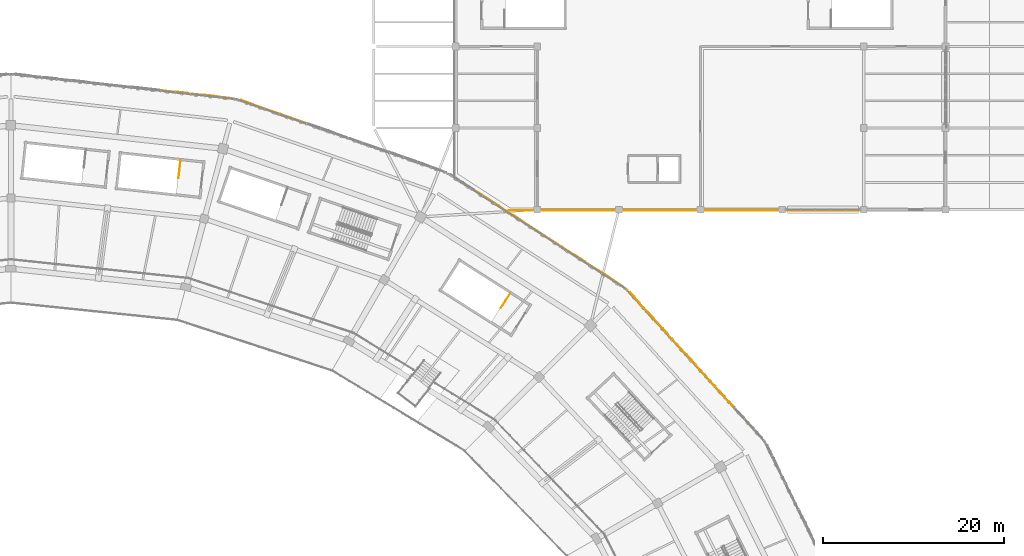
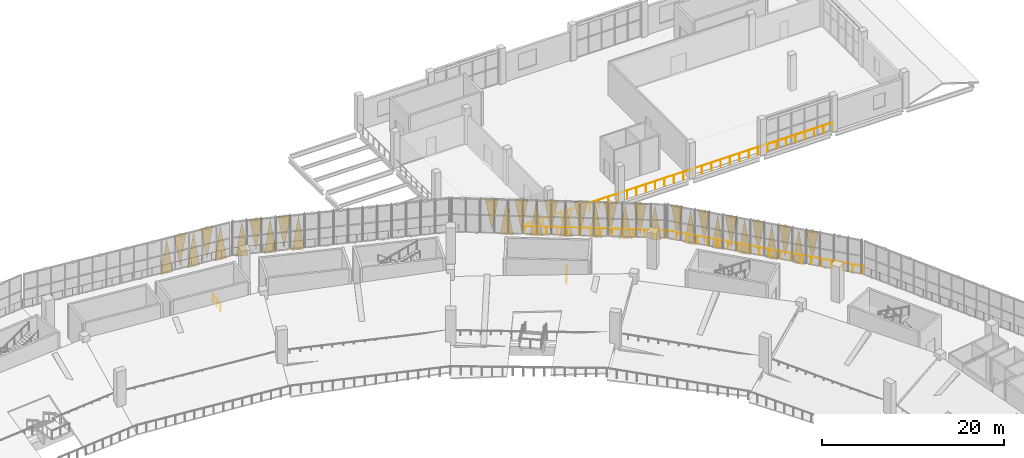
# One storey, part 149 of 152: 33 coverings, 5 railings.
"""IFC4 building model written with IfcOpenShell, lengths in metres."""

from ifc_helpers import new_model, si_unit, direction, frame, origin, origin_2d, place, context, subcontext, project, spatial, polyline, circle, outline, extrude, material, layer, layer_set, type_object, element, save


model = new_model("IFC4")

# Units and contexts
model_context = context("Model", 3, precision=1e-05, world=origin(), true_north=direction((0.0, 1.0)))
body_context = subcontext(model_context, "Body", "Model", "MODEL_VIEW")
ifc_project = project(units=[si_unit("LENGTHUNIT", "METRE"), si_unit("AREAUNIT", "SQUARE_METRE"), si_unit("VOLUMEUNIT", "CUBIC_METRE"), si_unit("PLANEANGLEUNIT", "RADIAN"), si_unit("MASSUNIT", "GRAM", prefix="KILO")], contexts=[model_context])

# Site, building, storey
site_placement = place(None, origin())
site = spatial("IfcSite", under=ifc_project, at=site_placement, CompositionType="ELEMENT")
building_placement = place(site_placement, origin())
building = spatial("IfcBuilding", under=site, at=building_placement, Name="Zevraka Park Crest Stadium", CompositionType="ELEMENT")
storey_placement = place(building_placement, frame((0.0, 0.0, 15.0)))
storey = spatial("IfcBuildingStorey", under=building, at=storey_placement, Name="L03", CompositionType="ELEMENT", Elevation=15.0)

# Coverings
ifc_material_1 = material(Name="Architectural golden-bronze perforated aluminium", Category="aluminium")
ifc_layer = layer(ifc_material_1, 0.034912109375)
ifc_layer_set = layer_set([ifc_layer], Name="Architectural golden-bronze perforated aluminium")
covering_type = type_object("IfcCoveringType", Name="CLD01", PredefinedType="CLADDING", material=ifc_layer_set)
covering_1_placement = place(storey_placement, frame((190.702880859375, 137.376953125, 4.52001953125), z_axis=(0.73988468063, 0.672733719306, 4.7726743e-05), x_axis=(0.672733720072, -0.739884681473, 0.0)))
element("IfcCovering", 1, at=covering_1_placement, inside=storey, type_object=covering_type, Name="Triangular Golden-Bronze Perforated Cladding L03-02-4", PredefinedType="CLADDING", context=body_context, shape_type="SweptSolid", body=[
    extrude(outline(polyline([(0.0, 0.0), (1.3961080831123893, -6.776263578034403e-21), (0.6987355994962312, 4.300048833022416), (0.0, 0.0)])), origin(), (0.0, 0.0, -1.0), 0.034912109375),
])
covering_2_placement = place(storey_placement, frame((190.595947265625, 137.4951171875, -0.260009765625), z_axis=(0.739654962675, 0.672986275479, 9.5952392e-05), x_axis=(-0.672986278577, 0.73965496608, 0.0)))
element("IfcCovering", 2, at=covering_2_placement, inside=storey, type_object=covering_type, Name="Triangular Golden-Bronze Perforated Cladding L03-02-5", PredefinedType="CLADDING", context=body_context, shape_type="SweptSolid", body=[
    extrude(outline(polyline([(0.0, 0.0), (1.3952213791572479, 1.3552527156068805e-20), (0.6978490062471088, 4.62011720876839), (0.0, 0.0)])), origin(), (0.0, 0.0, -1.0), 0.034912109375),
])
covering_3_placement = place(storey_placement, frame((188.610107421875, 139.677978515625, 4.52001953125), z_axis=(0.73965496215, 0.672986275001, 0.000103094479), x_axis=(0.672986278577, -0.73965496608, 0.0)))
element("IfcCovering", 3, at=covering_3_placement, inside=storey, type_object=covering_type, Name="Triangular Golden-Bronze Perforated Cladding L03-02-6", PredefinedType="CLADDING", context=body_context, shape_type="SweptSolid", body=[
    extrude(outline(polyline([(0.0, 0.0), (1.3952213791572479, 0.0), (0.6978490062471088, 4.300048850976475), (0.0, 0.0)])), origin(), (0.0, 0.0, -1.0), 0.034912109375),
])
covering_4_placement = place(storey_placement, frame((188.5029296875, 139.7958984375, -0.260009765625), z_axis=(0.740050840869, 0.67255092958, 7.133789e-06), x_axis=(-0.672550929597, 0.740050840888, 0.0)))
element("IfcCovering", 4, at=covering_4_placement, inside=storey, type_object=covering_type, Name="Triangular Golden-Bronze Perforated Cladding L03-02-7", PredefinedType="CLADDING", context=body_context, shape_type="SweptSolid", body=[
    extrude(outline(polyline([(0.0, 0.0), (1.396124519986748, 0.0), (0.6987520069516184, 4.620117187617561), (0.0, 0.0)])), origin(), (0.0, 0.0, -1.0), 0.034912109375),
])
covering_5_placement = place(storey_placement, frame((186.51708984375, 141.97998046875, 4.52001953125), z_axis=(-0.739971727346, -0.672637972908, 1.1449014e-05), x_axis=(0.672637972952, -0.739971727395, 0.0)))
element("IfcCovering", 5, at=covering_5_placement, inside=storey, type_object=covering_type, Name="Triangular Golden-Bronze Perforated Cladding L03-02-8", PredefinedType="CLADDING", context=body_context, shape_type="SweptSolid", body=[
    extrude(outline(polyline([(0.0, 0.0), (1.3959438531687058, 1.6940658945086007e-21), (0.6987520059946044, -4.300048828406826), (0.0, 0.0)])), origin(), (0.0, 0.0, -1.0), 0.034912109375),
])
covering_6_placement = place(storey_placement, frame((186.409912109375, 142.097900390625, -0.260009765625), z_axis=(0.739654964732, 0.67298627735, 6.0389811e-05), x_axis=(-0.672986278577, 0.73965496608, 0.0)))
element("IfcCovering", 6, at=covering_6_placement, inside=storey, type_object=covering_type, Name="Triangular Golden-Bronze Perforated Cladding L03-02-9", PredefinedType="CLADDING", context=body_context, shape_type="SweptSolid", body=[
    extrude(outline(polyline([(0.0, 0.0), (1.3952213791572479, 0.0), (0.6980295860728118, 4.620117195924622), (0.0, 0.0)])), origin(), (0.0, 0.0, -1.0), 0.034912109375),
])
covering_7_placement = place(storey_placement, frame((184.424072265625, 144.281005859375, 4.52001953125), z_axis=(0.739654964523, 0.67298627716, 6.4884846e-05), x_axis=(0.672986278577, -0.73965496608, 0.0)))
element("IfcCovering", 7, at=covering_7_placement, inside=storey, type_object=covering_type, Name="Triangular Golden-Bronze Perforated Cladding L03-02-10", PredefinedType="CLADDING", context=body_context, shape_type="SweptSolid", body=[
    extrude(outline(polyline([(0.0, 0.0), (1.3952213791572479, 6.776263578034403e-21), (0.6980295860728118, 4.300048837176696), (0.0, 0.0)])), origin(), (0.0, 0.0, -1.0), 0.034912109375),
])
covering_8_placement = place(storey_placement, frame((184.31689453125, 144.39892578125, -0.260009765625), z_axis=(-0.739971727353, -0.672637972914, 1.0655859e-05), x_axis=(-0.672637972952, 0.739971727395, 0.0)))
element("IfcCovering", 8, at=covering_8_placement, inside=storey, type_object=covering_type, Name="Triangular Golden-Bronze Perforated Cladding L03-02-11", PredefinedType="CLADDING", context=body_context, shape_type="SweptSolid", body=[
    extrude(outline(polyline([(0.0, 0.0), (1.3959438531687058, -2.541098841762901e-21), (0.6987520059946044, -4.620117187762301), (0.0, 0.0)])), origin(), (0.0, 0.0, -1.0), 0.034912109375),
])
covering_9_placement = place(storey_placement, frame((182.33203125, 146.58203125, 4.52001953125), z_axis=(-0.740003442239, -0.672603081401, 1.9093939e-05), x_axis=(0.672603081524, -0.740003442374, 0.0)))
element("IfcCovering", 9, at=covering_9_placement, inside=storey, type_object=covering_type, Name="Triangular Golden-Bronze Perforated Cladding L03-02-12", PredefinedType="CLADDING", context=body_context, shape_type="SweptSolid", body=[
    extrude(outline(polyline([(0.0, 0.0), (1.394564353058445, 1.6940658945086007e-21), (0.6973725089806841, -4.300048828908853), (0.0, 0.0)])), origin(), (0.0, 0.0, -1.0), 0.034912109375),
])
covering_10_placement = place(storey_placement, frame((182.22412109375, 146.700927734375, -0.260009765625), z_axis=(0.739567864941, 0.673081991112, 7.9918551e-05), x_axis=(-0.673081993261, 0.739567867303, 0.0)))
element("IfcCovering", 10, at=covering_10_placement, inside=storey, type_object=covering_type, Name="Triangular Golden-Bronze Perforated Cladding L03-02-13", PredefinedType="CLADDING", context=body_context, shape_type="SweptSolid", body=[
    extrude(outline(polyline([(0.0, 0.0), (1.3953856941325256, 0.0), (0.698193942993217, 4.620117202254288), (0.0, 0.0)])), origin(), (0.0, 0.0, -1.0), 0.034912109375),
])
covering_11_placement = place(storey_placement, frame((180.239013671875, 148.884033203125, 4.52001953125), z_axis=(-0.740003442239, -0.672603081401, 1.9093939e-05), x_axis=(0.672603081524, -0.740003442374, 0.0)))
element("IfcCovering", 11, at=covering_11_placement, inside=storey, type_object=covering_type, Name="Triangular Golden-Bronze Perforated Cladding L03-02-14", PredefinedType="CLADDING", context=body_context, shape_type="SweptSolid", body=[
    extrude(outline(polyline([(0.0, 0.0), (1.394564353058445, 1.6940658945086007e-21), (0.6973725089806841, -4.300048828908853), (0.0, 0.0)])), origin(), (0.0, 0.0, -1.0), 0.034912109375),
])
covering_12_placement = place(storey_placement, frame((179.43701171875, 149.56396484375, -0.260009765625), z_axis=(0.54371325202, 0.839271052215, 2.2174779e-05), x_axis=(-0.839271052422, 0.543713252153, 0.0)))
element("IfcCovering", 12, at=covering_12_placement, inside=storey, type_object=covering_type, Name="Triangular Golden-Bronze Perforated Cladding L03-03-1", PredefinedType="CLADDING", context=body_context, shape_type="SweptSolid", body=[
    extrude(outline(polyline([(0.0, 0.0), (1.467861414015771, -1.6940658945086007e-21), (0.7338643357612847, 4.620117188635904), (0.0, 0.0)])), origin(), (0.0, 0.0, -1.0), 0.034912109375),
])
covering_13_placement = place(storey_placement, frame((176.839111328125, 151.24609375, 4.52001953125), z_axis=(-0.543244375425, -0.839574615128, 0.000119169735), x_axis=(0.83957462109, -0.543244379282, 0.0)))
element("IfcCovering", 13, at=covering_13_placement, inside=storey, type_object=covering_type, Name="Triangular Golden-Bronze Perforated Cladding L03-03-2", PredefinedType="CLADDING", context=body_context, shape_type="SweptSolid", body=[
    extrude(outline(polyline([(0.0, 0.0), (1.4673306729433993, 0.0), (0.7339969065274139, -4.300048858658413), (0.0, 0.0)])), origin(), (0.0, 0.0, -1.0), 0.034912109375),
])
covering_14_placement = place(storey_placement, frame((176.705078125, 151.3330078125, -0.260009765625), z_axis=(0.543637363062, 0.839320211494, 7.812377e-06), x_axis=(-0.839320211519, 0.543637363078, 0.0)))
element("IfcCovering", 14, at=covering_14_placement, inside=storey, type_object=covering_type, Name="Triangular Golden-Bronze Perforated Cladding L03-03-3", PredefinedType="CLADDING", context=body_context, shape_type="SweptSolid", body=[
    extrude(outline(polyline([(0.0, 0.0), (1.4680663201763386, 0.0), (0.733864342024864, 4.62011718764099), (0.0, 0.0)])), origin(), (0.0, 0.0, -1.0), 0.034912109375),
])
covering_15_placement = place(storey_placement, frame((174.10693359375, 153.014892578125, 4.52001953125), z_axis=(-0.543051202429, -0.839699576796, 0.000110766182), x_axis=(0.839699581947, -0.543051205761, 0.0)))
element("IfcCovering", 15, at=covering_15_placement, inside=storey, type_object=covering_type, Name="Triangular Golden-Bronze Perforated Cladding L03-03-4", PredefinedType="CLADDING", context=body_context, shape_type="SweptSolid", body=[
    extrude(outline(polyline([(0.0, 0.0), (1.4674030580295612, 0.0), (0.7338641883459691, -4.300048854503966), (0.0, 0.0)])), origin(), (0.0, 0.0, -1.0), 0.034912109375),
])
covering_16_placement = place(storey_placement, frame((173.971923828125, 153.10205078125, -0.260009765625), z_axis=(0.543899794, 0.839150171771, 5.748254e-05), x_axis=(-0.839150173157, 0.543899794898, 0.0)))
element("IfcCovering", 16, at=covering_16_placement, inside=storey, type_object=covering_type, Name="Triangular Golden-Bronze Perforated Cladding L03-03-5", PredefinedType="CLADDING", context=body_context, shape_type="SweptSolid", body=[
    extrude(outline(polyline([(0.0, 0.0), (1.466909107125423, 0.0), (0.7338642948581983, 4.620117195132995), (0.0, 0.0)])), origin(), (0.0, 0.0, -1.0), 0.034912109375),
])
covering_17_placement = place(storey_placement, frame((171.3740234375, 154.783935546875, 4.52001953125), z_axis=(0.543596081623, 0.839346948552, 0.0), x_axis=(0.839346948552, -0.543596081623, 0.0)))
element("IfcCovering", 17, at=covering_17_placement, inside=storey, type_object=covering_type, Name="Triangular Golden-Bronze Perforated Cladding L03-03-6", PredefinedType="CLADDING", context=body_context, shape_type="SweptSolid", body=[
    extrude(outline(polyline([(0.0, 0.0), (1.4677286858249659, 0.0), (0.7338643429124829, 4.300048828125), (0.0, 0.0)])), origin(), (0.0, 0.0, -1.0), 0.034912109375),
])
covering_18_placement = place(storey_placement, frame((171.239990234375, 154.87109375, -0.260009765625), z_axis=(0.543596081623, 0.839346948552, 0.0), x_axis=(-0.839346948552, 0.543596081623, 0.0)))
element("IfcCovering", 18, at=covering_18_placement, inside=storey, type_object=covering_type, Name="Triangular Golden-Bronze Perforated Cladding L03-03-7", PredefinedType="CLADDING", context=body_context, shape_type="SweptSolid", body=[
    extrude(outline(polyline([(0.0, 0.0), (1.4677286858249659, 0.0), (0.7338643429124829, 4.620117187499999), (0.0, 0.0)])), origin(), (0.0, 0.0, -1.0), 0.034912109375),
])
covering_19_placement = place(storey_placement, frame((168.64208984375, 156.552978515625, 4.52001953125), z_axis=(0.543713251999, 0.839271052183, 2.3825329e-05), x_axis=(0.839271052422, -0.543713252153, 0.0)))
element("IfcCovering", 19, at=covering_19_placement, inside=storey, type_object=covering_type, Name="Triangular Golden-Bronze Perforated Cladding L03-03-8", PredefinedType="CLADDING", context=body_context, shape_type="SweptSolid", body=[
    extrude(outline(polyline([(0.0, 0.0), (1.4678614140157709, 0.0), (0.7338643357612846, 4.300048829345455), (0.0, 0.0)])), origin(), (0.0, 0.0, -1.0), 0.034912109375),
])
covering_20_placement = place(storey_placement, frame((168.508056640625, 156.639892578125, -0.260009765625), z_axis=(-0.543637362716, -0.839320210959, 3.6539779e-05), x_axis=(-0.839320211519, 0.543637363078, 0.0)))
element("IfcCovering", 20, at=covering_20_placement, inside=storey, type_object=covering_type, Name="Triangular Golden-Bronze Perforated Cladding L03-03-9", PredefinedType="CLADDING", context=body_context, shape_type="SweptSolid", body=[
    extrude(outline(polyline([(0.0, 0.0), (1.4680663201763386, 3.3881317890172014e-21), (0.7339970659904592, -4.6201171905842875), (0.0, 0.0)])), origin(), (0.0, 0.0, -1.0), 0.034912109375),
])
covering_21_placement = place(storey_placement, frame((165.909912109375, 158.322021484375, 4.52001953125), z_axis=(0.543941018509, 0.839123449477, 7.0145532e-05), x_axis=(0.839123451542, -0.543941019847, 0.0)))
element("IfcCovering", 21, at=covering_21_placement, inside=storey, type_object=covering_type, Name="Triangular Golden-Bronze Perforated Cladding L03-03-10", PredefinedType="CLADDING", context=body_context, shape_type="SweptSolid", body=[
    extrude(outline(polyline([(0.0, 0.0), (1.4672467675796603, 6.776263578034403e-21), (0.7338642809254232, 4.30004883870397), (0.0, 0.0)])), origin(), (0.0, 0.0, -1.0), 0.034912109375),
])
covering_22_placement = place(storey_placement, frame((165.77490234375, 158.408935546875, -0.260009765625), z_axis=(-0.543244375941, -0.839574615926, 0.000110914), x_axis=(-0.83957462109, 0.543244379282, 0.0)))
element("IfcCovering", 22, at=covering_22_placement, inside=storey, type_object=covering_type, Name="Triangular Golden-Bronze Perforated Cladding L03-03-11", PredefinedType="CLADDING", context=body_context, shape_type="SweptSolid", body=[
    extrude(outline(polyline([(0.0, 0.0), (1.4673306729433993, 0.0), (0.7339969065274139, -4.620117215918146), (0.0, 0.0)])), origin(), (0.0, 0.0, -1.0), 0.034912109375),
])
covering_23_placement = place(storey_placement, frame((163.177001953125, 160.091064453125, 4.52001953125), z_axis=(-0.543713251999, -0.839271052183, 2.3825329e-05), x_axis=(0.839271052422, -0.543713252153, 0.0)))
element("IfcCovering", 23, at=covering_23_placement, inside=storey, type_object=covering_type, Name="Triangular Golden-Bronze Perforated Cladding L03-03-12", PredefinedType="CLADDING", context=body_context, shape_type="SweptSolid", body=[
    extrude(outline(polyline([(0.0, 0.0), (1.4678614140157709, 0.0), (0.7339970782544862, -4.300048829345455), (0.0, 0.0)])), origin(), (0.0, 0.0, -1.0), 0.034912109375),
])
covering_24_placement = place(storey_placement, frame((144.631103515625, 167.52001953125, -0.260009765625), z_axis=(0.329343541036, 0.944210162435, 3.3649168e-05), x_axis=(-0.94421016297, 0.329343541222, 0.0)))
element("IfcCovering", 24, at=covering_24_placement, inside=storey, type_object=covering_type, Name="Triangular Golden-Bronze Perforated Cladding L03-04-11", PredefinedType="CLADDING", context=body_context, shape_type="SweptSolid", body=[
    extrude(outline(polyline([(0.0, 0.0), (1.4151316020815952, 0.0), (0.7076408580014601, 4.620117190115602), (0.0, 0.0)])), origin(), (0.0, 0.0, -1.0), 0.034912109375),
])
covering_25_placement = place(storey_placement, frame((141.80810546875, 168.506103515625, 4.52001953125), z_axis=(0.33001229755, 0.943976629479, 8.0393172e-05), x_axis=(0.94397663253, -0.330012298616, 0.0)))
element("IfcCovering", 25, at=covering_25_placement, inside=storey, type_object=covering_type, Name="Triangular Golden-Bronze Perforated Cladding L03-04-12", PredefinedType="CLADDING", context=body_context, shape_type="SweptSolid", body=[
    extrude(outline(polyline([(0.0, 0.0), (1.4152230616345545, 0.0), (0.7074906767040143, 4.300048842020742), (0.0, 0.0)])), origin(), (0.0, 0.0, -1.0), 0.034912109375),
])
covering_26_placement = place(storey_placement, frame((141.656982421875, 168.55908203125, -0.260009765625), z_axis=(0.329858561276, 0.944030359469, 9.97707e-05), x_axis=(-0.944030364167, 0.329858562918, 0.0)))
element("IfcCovering", 26, at=covering_26_placement, inside=storey, type_object=covering_type, Name="Triangular Golden-Bronze Perforated Cladding L03-04-13", PredefinedType="CLADDING", context=body_context, shape_type="SweptSolid", body=[
    extrude(outline(polyline([(0.0, 0.0), (1.415142510991743, 6.776263578034403e-21), (0.7074101917444467, 4.620117210494767), (0.0, 0.0)])), origin(), (0.0, 0.0, -1.0), 0.034912109375),
])
covering_27_placement = place(storey_placement, frame((138.833984375, 169.544921875, 4.52001953125), z_axis=(0.329243357705, 0.944245101341, 0.0), x_axis=(0.944245101341, -0.329243357705, 0.0)))
element("IfcCovering", 27, at=covering_27_placement, inside=storey, type_object=covering_type, Name="Triangular Golden-Bronze Perforated Cladding L03-04-14", PredefinedType="CLADDING", context=body_context, shape_type="SweptSolid", body=[
    extrude(outline(polyline([(0.0, 0.0), (1.414820683847903, 0.0), (0.7074103419239515, 4.300048828125), (0.0, 0.0)])), origin(), (0.0, 0.0, -1.0), 0.034912109375),
])
covering_28_placement = place(storey_placement, frame((138.68310546875, 169.597900390625, -0.260009765625), z_axis=(-0.329958563516, -0.943995409368, 0.000115990765), x_axis=(-0.943995415719, 0.329958565735, 0.0)))
element("IfcCovering", 28, at=covering_28_placement, inside=storey, type_object=covering_type, Name="Triangular Golden-Bronze Perforated Cladding L03-04-15", PredefinedType="CLADDING", context=body_context, shape_type="SweptSolid", body=[
    extrude(outline(polyline([(0.0, 0.0), (1.415453526972662, 0.0), (0.7080433880278831, -4.6201172185792), (0.0, 0.0)])), origin(), (0.0, 0.0, -1.0), 0.034912109375),
])
covering_29_placement = place(storey_placement, frame((136.320068359375, 170.299072265625, -0.260009765625), z_axis=(0.109857339416, 0.993947356621, 0.000131307778), x_axis=(-0.99394736519, 0.109857340363, 0.0)))
element("IfcCovering", 29, at=covering_29_placement, inside=storey, type_object=covering_type, Name="Triangular Golden-Bronze Perforated Cladding L03-05-1", PredefinedType="CLADDING", context=body_context, shape_type="SweptSolid", body=[
    extrude(outline(polyline([(0.0, 0.0), (1.4467448997915233, -3.3881317890172014e-21), (0.7233053982964189, 4.620117227329413), (0.0, 0.0)])), origin(), (0.0, 0.0, -1.0), 0.034912109375),
])
covering_30_placement = place(storey_placement, frame((133.285888671875, 170.635986328125, 4.52001953125), z_axis=(-0.110598317724, -0.993865187976, 1.5655252e-05), x_axis=(0.993865188098, -0.110598317738, 0.0)))
element("IfcCovering", 30, at=covering_30_placement, inside=storey, type_object=covering_type, Name="Triangular Golden-Bronze Perforated Cladding L03-05-2", PredefinedType="CLADDING", context=body_context, shape_type="SweptSolid", body=[
    extrude(outline(polyline([(0.0, 0.0), (1.4458819324376355, 0.0), (0.723439752726402, -4.300048828651943), (0.0, 0.0)])), origin(), (0.0, 0.0, -1.0), 0.034912109375),
])
covering_31_placement = place(storey_placement, frame((133.126953125, 170.653076171875, -0.260009765625), z_axis=(0.110524126296, 0.993873441046, 2.6259603e-05), x_axis=(-0.993873441389, 0.110524126334, 0.0)))
element("IfcCovering", 31, at=covering_31_placement, inside=storey, type_object=covering_type, Name="Triangular Golden-Bronze Perforated Cladding L03-05-3", PredefinedType="CLADDING", context=body_context, shape_type="SweptSolid", body=[
    extrude(outline(polyline([(0.0, 0.0), (1.446852507941667, 0.0), (0.723412762256193, 4.62011718909294), (0.0, 0.0)])), origin(), (0.0, 0.0, -1.0), 0.034912109375),
])
covering_32_placement = place(storey_placement, frame((130.092041015625, 170.989990234375, 4.52001953125), z_axis=(-0.10985733927, -0.993947355298, 0.000141081496), x_axis=(0.99394736519, -0.109857340363, 0.0)))
element("IfcCovering", 32, at=covering_32_placement, inside=storey, type_object=covering_type, Name="Triangular Golden-Bronze Perforated Cladding L03-05-4", PredefinedType="CLADDING", context=body_context, shape_type="SweptSolid", body=[
    extrude(outline(polyline([(0.0, 0.0), (1.4467448997915233, 0.0), (0.7234395014951044, -4.300048870919063), (0.0, 0.0)])), origin(), (0.0, 0.0, -1.0), 0.034912109375),
])
covering_33_placement = place(storey_placement, frame((129.93310546875, 171.008056640625, -0.260009765625), z_axis=(0.110524126296, 0.993873441046, 2.6259603e-05), x_axis=(-0.993873441389, 0.110524126334, 0.0)))
element("IfcCovering", 33, at=covering_33_placement, inside=storey, type_object=covering_type, Name="Triangular Golden-Bronze Perforated Cladding L03-05-5", PredefinedType="CLADDING", context=body_context, shape_type="SweptSolid", body=[
    extrude(outline(polyline([(0.0, 0.0), (1.446852507941667, 0.0), (0.723412762256193, 4.62011718909294), (0.0, 0.0)])), origin(), (0.0, 0.0, -1.0), 0.034912109375),
])

# Railings
ifc_material_2 = material(Name="Galvanised and bronze-finished steel balustrade", Category="steel")
railing_type_1 = type_object("IfcRailingType", Name="GR01", PredefinedType="GUARDRAIL", material=ifc_material_2)
railing_1_placement = place(storey_placement, frame((205.93408203125, 157.89501953125, 0.0)))
element("IfcRailing", 34, at=railing_1_placement, inside=storey, type_object=railing_type_1, Name="Deck Edge Protection Guardrail GR01 L03-16", PredefinedType="GUARDRAIL", context=body_context, shape_type="SweptSolid", body=[
    extrude(circle(Radius=0.02392578125, at=origin_2d()), frame((0.0, 0.0, 1.076171875), z_axis=(-1.0, 0.0, 0.0), x_axis=(0.0, -1.0, 0.0)), (0.0, 0.0, 1.0), 39.05419921875),
    extrude(circle(Radius=0.02099609375, at=origin_2d()), origin(), (0.0, 0.0, 1.0), 1.052001953125),
    extrude(circle(Radius=0.02099609375, at=origin_2d()), frame((-1.183349609375, 0.0, 0.0)), (0.0, 0.0, 1.0), 1.052001953125),
    extrude(circle(Radius=0.02099609375, at=origin_2d()), frame((-2.366943359375, 0.0, 0.0)), (0.0, 0.0, 1.0), 1.052001953125),
    extrude(circle(Radius=0.02099609375, at=origin_2d()), frame((-3.55029296875, 0.0, 0.0)), (0.0, 0.0, 1.0), 1.052001953125),
    extrude(circle(Radius=0.02099609375, at=origin_2d()), frame((-4.73388671875, 0.0, 0.0)), (0.0, 0.0, 1.0), 1.052001953125),
    extrude(circle(Radius=0.02099609375, at=origin_2d()), frame((-5.917236328125, 0.0, 0.0)), (0.0, 0.0, 1.0), 1.052001953125),
    extrude(circle(Radius=0.02099609375, at=origin_2d()), frame((-7.100830078125, 0.0, 0.0)), (0.0, 0.0, 1.0), 1.052001953125),
    extrude(circle(Radius=0.02099609375, at=origin_2d()), frame((-8.2841796875, 0.0, 0.0)), (0.0, 0.0, 1.0), 1.052001953125),
    extrude(circle(Radius=0.02099609375, at=origin_2d()), frame((-9.4677734375, 0.0, 0.0)), (0.0, 0.0, 1.0), 1.052001953125),
    extrude(circle(Radius=0.02099609375, at=origin_2d()), frame((-10.651123046875, 0.0, 0.0)), (0.0, 0.0, 1.0), 1.052001953125),
    extrude(circle(Radius=0.02099609375, at=origin_2d()), frame((-11.834716796875, 0.0, 0.0)), (0.0, 0.0, 1.0), 1.052001953125),
    extrude(circle(Radius=0.02099609375, at=origin_2d()), frame((-13.01806640625, 0.0, 0.0)), (0.0, 0.0, 1.0), 1.052001953125),
    extrude(circle(Radius=0.02099609375, at=origin_2d()), frame((-14.201416015625, 0.0, 0.0)), (0.0, 0.0, 1.0), 1.052001953125),
    extrude(circle(Radius=0.02099609375, at=origin_2d()), frame((-15.385009765625, 0.0, 0.0)), (0.0, 0.0, 1.0), 1.052001953125),
    extrude(circle(Radius=0.02099609375, at=origin_2d()), frame((-16.568359375, 0.0, 0.0)), (0.0, 0.0, 1.0), 1.052001953125),
    extrude(circle(Radius=0.02099609375, at=origin_2d()), frame((-17.751953125, 0.0, 0.0)), (0.0, 0.0, 1.0), 1.052001953125),
    extrude(circle(Radius=0.02099609375, at=origin_2d()), frame((-18.935302734375, 0.0, 0.0)), (0.0, 0.0, 1.0), 1.052001953125),
    extrude(circle(Radius=0.02099609375, at=origin_2d()), frame((-20.118896484375, 0.0, 0.0)), (0.0, 0.0, 1.0), 1.052001953125),
    extrude(circle(Radius=0.02099609375, at=origin_2d()), frame((-21.30224609375, 0.0, 0.0)), (0.0, 0.0, 1.0), 1.052001953125),
    extrude(circle(Radius=0.02099609375, at=origin_2d()), frame((-22.48583984375, 0.0, 0.0)), (0.0, 0.0, 1.0), 1.052001953125),
    extrude(circle(Radius=0.02099609375, at=origin_2d()), frame((-23.669189453125, 0.0, 0.0)), (0.0, 0.0, 1.0), 1.052001953125),
    extrude(circle(Radius=0.02099609375, at=origin_2d()), frame((-24.852783203125, 0.0, 0.0)), (0.0, 0.0, 1.0), 1.052001953125),
    extrude(circle(Radius=0.02099609375, at=origin_2d()), frame((-26.0361328125, 0.0, 0.0)), (0.0, 0.0, 1.0), 1.052001953125),
    extrude(circle(Radius=0.02099609375, at=origin_2d()), frame((-27.219482421875, 0.0, 0.0)), (0.0, 0.0, 1.0), 1.052001953125),
    extrude(circle(Radius=0.02099609375, at=origin_2d()), frame((-28.403076171875, 0.0, 0.0)), (0.0, 0.0, 1.0), 1.052001953125),
    extrude(circle(Radius=0.02099609375, at=origin_2d()), frame((-29.58642578125, 0.0, 0.0)), (0.0, 0.0, 1.0), 1.052001953125),
    extrude(circle(Radius=0.02099609375, at=origin_2d()), frame((-30.77001953125, 0.0, 0.0)), (0.0, 0.0, 1.0), 1.052001953125),
    extrude(circle(Radius=0.02099609375, at=origin_2d()), frame((-31.953369140625, 0.0, 0.0)), (0.0, 0.0, 1.0), 1.052001953125),
    extrude(circle(Radius=0.02099609375, at=origin_2d()), frame((-33.136962890625, 0.0, 0.0)), (0.0, 0.0, 1.0), 1.052001953125),
    extrude(circle(Radius=0.02099609375, at=origin_2d()), frame((-34.3203125, 0.0, 0.0)), (0.0, 0.0, 1.0), 1.052001953125),
    extrude(circle(Radius=0.02099609375, at=origin_2d()), frame((-35.50390625, 0.0, 0.0)), (0.0, 0.0, 1.0), 1.052001953125),
    extrude(circle(Radius=0.02099609375, at=origin_2d()), frame((-36.687255859375, 0.0, 0.0)), (0.0, 0.0, 1.0), 1.052001953125),
    extrude(circle(Radius=0.02099609375, at=origin_2d()), frame((-37.870849609375, 0.0, 0.0)), (0.0, 0.0, 1.0), 1.052001953125),
    extrude(circle(Radius=0.02099609375, at=origin_2d()), frame((-39.05419921875, 0.0, 0.0)), (0.0, 0.0, 1.0), 1.052001953125),
])
railing_2_placement = place(storey_placement, frame((166.81005859375, 157.656005859375, 0.0)))
element("IfcRailing", 35, at=railing_2_placement, inside=storey, type_object=railing_type_1, Name="Deck Edge Protection Guardrail GR01 L03-17", PredefinedType="GUARDRAIL", context=body_context, shape_type="SweptSolid", body=[
    extrude(circle(Radius=0.02392578125, at=origin_2d()), frame((0.0, 0.0, 1.076171875), z_axis=(0.839406344676, -0.543504359245, 0.0), x_axis=(0.543504359245, 0.839406344676, 0.0)), (0.0, 0.0, 1.0), 15.51806640625),
    extrude(circle(Radius=0.02099609375, at=origin_2d()), origin(), (0.0, 0.0, 1.0), 1.052001953125),
    extrude(circle(Radius=0.02099609375, at=origin_2d()), frame((1.001953125, -0.648681640625, 0.0)), (0.0, 0.0, 1.0), 1.052001953125),
    extrude(circle(Radius=0.02099609375, at=origin_2d()), frame((2.00390625, -1.297607421875, 0.0)), (0.0, 0.0, 1.0), 1.052001953125),
    extrude(circle(Radius=0.02099609375, at=origin_2d()), frame((3.005859375, -1.9462890625, 0.0)), (0.0, 0.0, 1.0), 1.052001953125),
    extrude(circle(Radius=0.02099609375, at=origin_2d()), frame((4.008056640625, -2.59521484375, 0.0)), (0.0, 0.0, 1.0), 1.052001953125),
    extrude(circle(Radius=0.02099609375, at=origin_2d()), frame((5.010009765625, -3.243896484375, 0.0)), (0.0, 0.0, 1.0), 1.052001953125),
    extrude(circle(Radius=0.02099609375, at=origin_2d()), frame((6.011962890625, -3.892578125, 0.0)), (0.0, 0.0, 1.0), 1.052001953125),
    extrude(circle(Radius=0.02099609375, at=origin_2d()), frame((7.013916015625, -4.54150390625, 0.0)), (0.0, 0.0, 1.0), 1.052001953125),
    extrude(circle(Radius=0.02099609375, at=origin_2d()), frame((8.015869140625, -5.190185546875, 0.0)), (0.0, 0.0, 1.0), 1.052001953125),
    extrude(circle(Radius=0.02099609375, at=origin_2d()), frame((9.017822265625, -5.8388671875, 0.0)), (0.0, 0.0, 1.0), 1.052001953125),
    extrude(circle(Radius=0.02099609375, at=origin_2d()), frame((10.02001953125, -6.48779296875, 0.0)), (0.0, 0.0, 1.0), 1.052001953125),
    extrude(circle(Radius=0.02099609375, at=origin_2d()), frame((11.02197265625, -7.136474609375, 0.0)), (0.0, 0.0, 1.0), 1.052001953125),
    extrude(circle(Radius=0.02099609375, at=origin_2d()), frame((12.02392578125, -7.785400390625, 0.0)), (0.0, 0.0, 1.0), 1.052001953125),
    extrude(circle(Radius=0.02099609375, at=origin_2d()), frame((13.02587890625, -8.43408203125, 0.0)), (0.0, 0.0, 1.0), 1.052001953125),
])
railing_3_placement = place(storey_placement, frame((179.8359375, 149.221923828125, 0.0)))
element("IfcRailing", 36, at=railing_3_placement, inside=storey, type_object=railing_type_1, Name="Deck Edge Protection Guardrail GR01 L03-18", PredefinedType="GUARDRAIL", context=body_context, shape_type="SweptSolid", body=[
    extrude(circle(Radius=0.02392578125, at=origin_2d()), frame((0.0, 0.0, 1.076171875), z_axis=(0.672817591136, -0.739808413752, 0.0), x_axis=(0.739808413752, 0.672817591136, 0.0)), (0.0, 0.0, 1.0), 22.6572265625),
    extrude(circle(Radius=0.02099609375, at=origin_2d()), origin(), (0.0, 0.0, 1.0), 1.052001953125),
    extrude(circle(Radius=0.02099609375, at=origin_2d()), frame((0.80224609375, -0.88232421875, 0.0)), (0.0, 0.0, 1.0), 1.052001953125),
    extrude(circle(Radius=0.02099609375, at=origin_2d()), frame((1.604736328125, -1.764404296875, 0.0)), (0.0, 0.0, 1.0), 1.052001953125),
    extrude(circle(Radius=0.02099609375, at=origin_2d()), frame((2.406982421875, -2.646728515625, 0.0)), (0.0, 0.0, 1.0), 1.052001953125),
    extrude(circle(Radius=0.02099609375, at=origin_2d()), frame((3.209228515625, -3.52880859375, 0.0)), (0.0, 0.0, 1.0), 1.052001953125),
    extrude(circle(Radius=0.02099609375, at=origin_2d()), frame((4.01171875, -4.4111328125, 0.0)), (0.0, 0.0, 1.0), 1.052001953125),
    extrude(circle(Radius=0.02099609375, at=origin_2d()), frame((4.81396484375, -5.293212890625, 0.0)), (0.0, 0.0, 1.0), 1.052001953125),
    extrude(circle(Radius=0.02099609375, at=origin_2d()), frame((5.6162109375, -6.175537109375, 0.0)), (0.0, 0.0, 1.0), 1.052001953125),
    extrude(circle(Radius=0.02099609375, at=origin_2d()), frame((6.418701171875, -7.0576171875, 0.0)), (0.0, 0.0, 1.0), 1.052001953125),
    extrude(circle(Radius=0.02099609375, at=origin_2d()), frame((7.220947265625, -7.93994140625, 0.0)), (0.0, 0.0, 1.0), 1.052001953125),
    extrude(circle(Radius=0.02099609375, at=origin_2d()), frame((8.023193359375, -8.822021484375, 0.0)), (0.0, 0.0, 1.0), 1.052001953125),
    extrude(circle(Radius=0.02099609375, at=origin_2d()), frame((8.825439453125, -9.704345703125, 0.0)), (0.0, 0.0, 1.0), 1.052001953125),
    extrude(circle(Radius=0.02099609375, at=origin_2d()), frame((9.6279296875, -10.58642578125, 0.0)), (0.0, 0.0, 1.0), 1.052001953125),
    extrude(circle(Radius=0.02099609375, at=origin_2d()), frame((10.43017578125, -11.46875, 0.0)), (0.0, 0.0, 1.0), 1.052001953125),
    extrude(circle(Radius=0.02099609375, at=origin_2d()), frame((11.232421875, -12.350830078125, 0.0)), (0.0, 0.0, 1.0), 1.052001953125),
    extrude(circle(Radius=0.02099609375, at=origin_2d()), frame((12.034912109375, -13.233154296875, 0.0)), (0.0, 0.0, 1.0), 1.052001953125),
    extrude(circle(Radius=0.02099609375, at=origin_2d()), frame((12.837158203125, -14.115234375, 0.0)), (0.0, 0.0, 1.0), 1.052001953125),
    extrude(circle(Radius=0.02099609375, at=origin_2d()), frame((13.639404296875, -14.99755859375, 0.0)), (0.0, 0.0, 1.0), 1.052001953125),
    extrude(circle(Radius=0.02099609375, at=origin_2d()), frame((14.44189453125, -15.879638671875, 0.0)), (0.0, 0.0, 1.0), 1.052001953125),
    extrude(circle(Radius=0.02099609375, at=origin_2d()), frame((15.244140625, -16.761962890625, 0.0)), (0.0, 0.0, 1.0), 1.052001953125),
])
ifc_material_3 = material(Name="Powder-coated tubular steel stairwell guard", Category="steel")
railing_type_2 = type_object("IfcRailingType", Name="GR03", PredefinedType="GUARDRAIL", material=ifc_material_3)
railing_4_placement = place(storey_placement, frame((167.02734375, 148.79345703125, 0.0)))
element("IfcRailing", 37, at=railing_4_placement, inside=storey, type_object=railing_type_2, Name="L03 ST04 top well guard 1", PredefinedType="GUARDRAIL", context=body_context, shape_type="SweptSolid", body=[
    extrude(circle(Radius=0.02392578125, at=origin_2d()), frame((0.0, 0.0, 1.076171875), z_axis=(-0.535730515973, -0.844389018317, 0.0), x_axis=(0.844389018317, -0.535730515973, 0.0)), (0.0, 0.0, 1.0), 1.9599609375),
    extrude(circle(Radius=0.02099609375, at=origin_2d()), origin(), (0.0, 0.0, 1.0), 1.052001953125),
    extrude(circle(Radius=0.02099609375, at=origin_2d()), frame((-0.52490234375, -0.82763671875, 0.0)), (0.0, 0.0, 1.0), 1.052001953125),
    extrude(circle(Radius=0.02099609375, at=origin_2d()), frame((-1.050048828125, -1.655029296875, 0.0)), (0.0, 0.0, 1.0), 1.052001953125),
])
railing_5_placement = place(storey_placement, frame((130.6923828125, 163.4560546875, 0.0)))
element("IfcRailing", 38, at=railing_5_placement, inside=storey, type_object=railing_type_2, Name="L03 ST06 top well guard 1", PredefinedType="GUARDRAIL", context=body_context, shape_type="SweptSolid", body=[
    extrude(circle(Radius=0.02392578125, at=origin_2d()), frame((0.0, 0.0, 1.076171875), z_axis=(-0.108243839259, -0.994124374142, 0.0), x_axis=(0.994124374142, -0.108243839259, 0.0)), (0.0, 0.0, 1.0), 1.9599609375),
    extrude(circle(Radius=0.02099609375, at=origin_2d()), origin(), (0.0, 0.0, 1.0), 1.052001953125),
    extrude(circle(Radius=0.02099609375, at=origin_2d()), frame((-0.10595703125, -0.97412109375, 0.0)), (0.0, 0.0, 1.0), 1.052001953125),
    extrude(circle(Radius=0.02099609375, at=origin_2d()), frame((-0.212158203125, -1.948486328125, 0.0)), (0.0, 0.0, 1.0), 1.052001953125),
])

save(model, "model.ifc")
